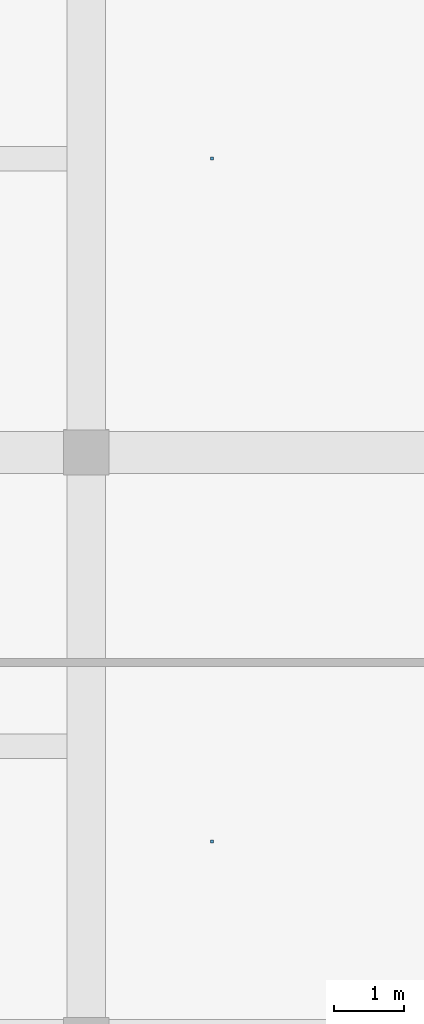
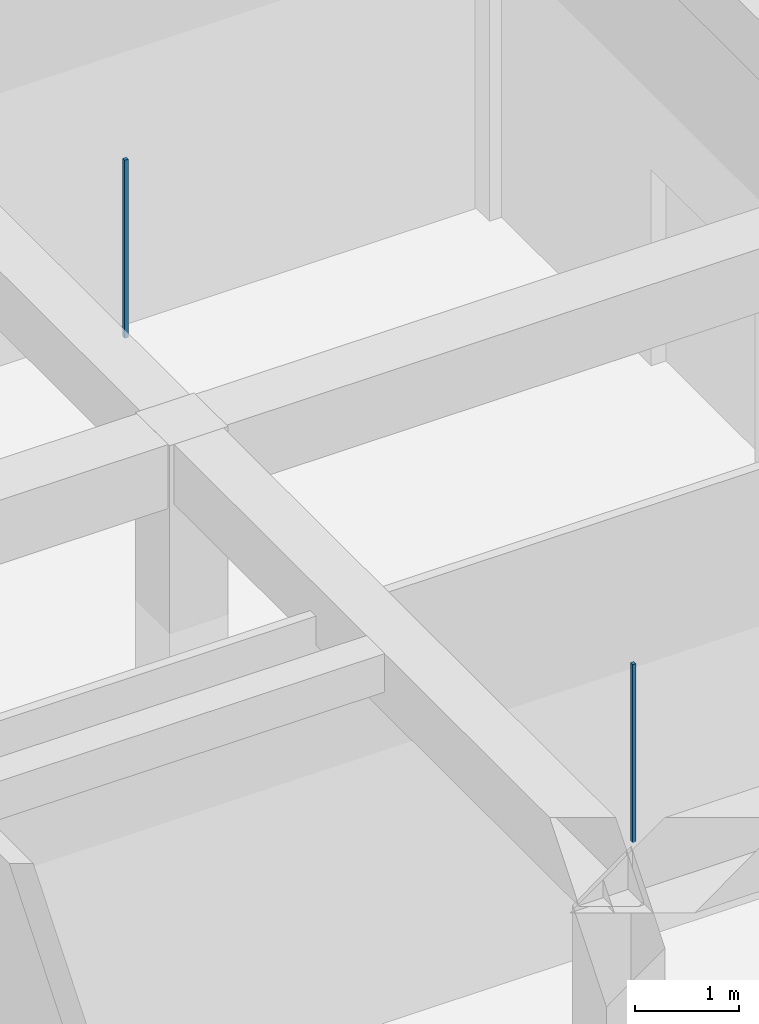
# One storey, part 132 of 167: 2 discrete accessories.
"""IFC4 building model written with IfcOpenShell, lengths in metres."""

from ifc_helpers import new_model, si_unit, direction, frame, origin, origin_2d, place, context, subcontext, project, spatial, rectangle, extrude, material, type_object, element, save


model = new_model("IFC4")

# Units and contexts
model_context = context("Model", 3, precision=1e-05, world=origin(), true_north=direction((0.0, 1.0)))
body_context = subcontext(model_context, "Body", "Model", "MODEL_VIEW")
ifc_project = project(units=[si_unit("LENGTHUNIT", "METRE"), si_unit("AREAUNIT", "SQUARE_METRE"), si_unit("VOLUMEUNIT", "CUBIC_METRE"), si_unit("PLANEANGLEUNIT", "RADIAN"), si_unit("MASSUNIT", "GRAM", prefix="KILO")], contexts=[model_context])

# Site, building, storey
site_placement = place(None, origin())
site = spatial("IfcSite", under=ifc_project, at=site_placement, CompositionType="ELEMENT")
building_placement = place(site_placement, origin())
building = spatial("IfcBuilding", under=site, at=building_placement, Name="Varncliffe General Hospital", CompositionType="ELEMENT")
storey_placement = place(building_placement, origin())
storey = spatial("IfcBuildingStorey", under=building, at=storey_placement, Name="L00", CompositionType="ELEMENT", Elevation=0.0)

# Discrete accessories
ifc_material = material(Name="Powder-coated hospital steel guardrail and handrail", Category="steel")
discrete_accessory_type = type_object("IfcDiscreteAccessoryType", Name="Suspended Ceiling Hanger Bracket CH01", PredefinedType="BRACKET", material=ifc_material)
for number, where, z_axis, x_axis, name in (
    (1, (169.800048828125, 68.842529296875, 3.18994140625), (0.0, 0.0, 1.0), (1.0, 0.0, 0.0), "L00 Suspended Ceiling Hanger 75"),
    (2, (169.800048828125, 78.60009765625, 3.18994140625), (0.0, 0.0, 1.0), (1.0, 0.0, 0.0), "L00 Suspended Ceiling Hanger 76"),
):
    element("IfcDiscreteAccessory", number, at=place(storey_placement, frame(where, z_axis=z_axis, x_axis=x_axis)), inside=storey, type_object=discrete_accessory_type, Name=name, PredefinedType="BRACKET", context=body_context, shape_type="SweptSolid", body=[
        extrude(rectangle(XDim=0.0400390625, YDim=0.0400390625, at=origin_2d()), origin(), (0.0, 0.0, 1.0), 2.090087890625),
    ])

save(model, "model.ifc")
